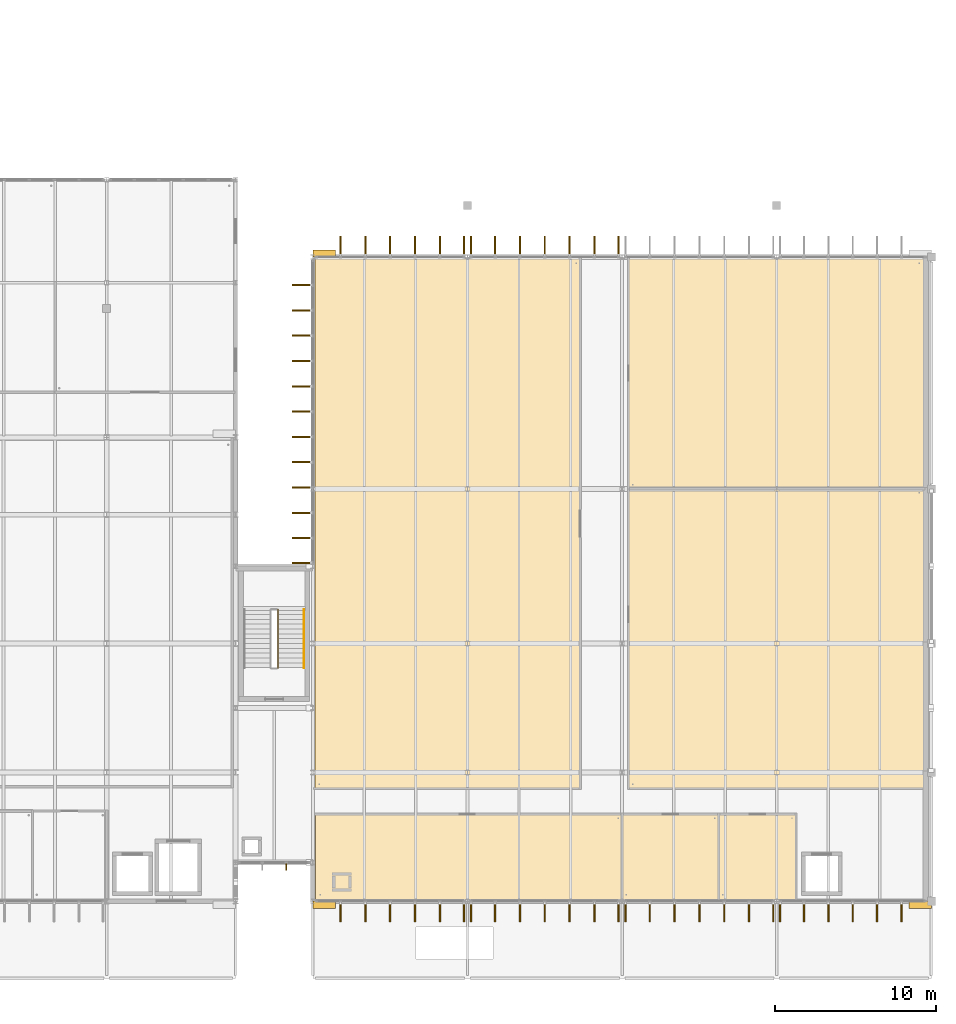
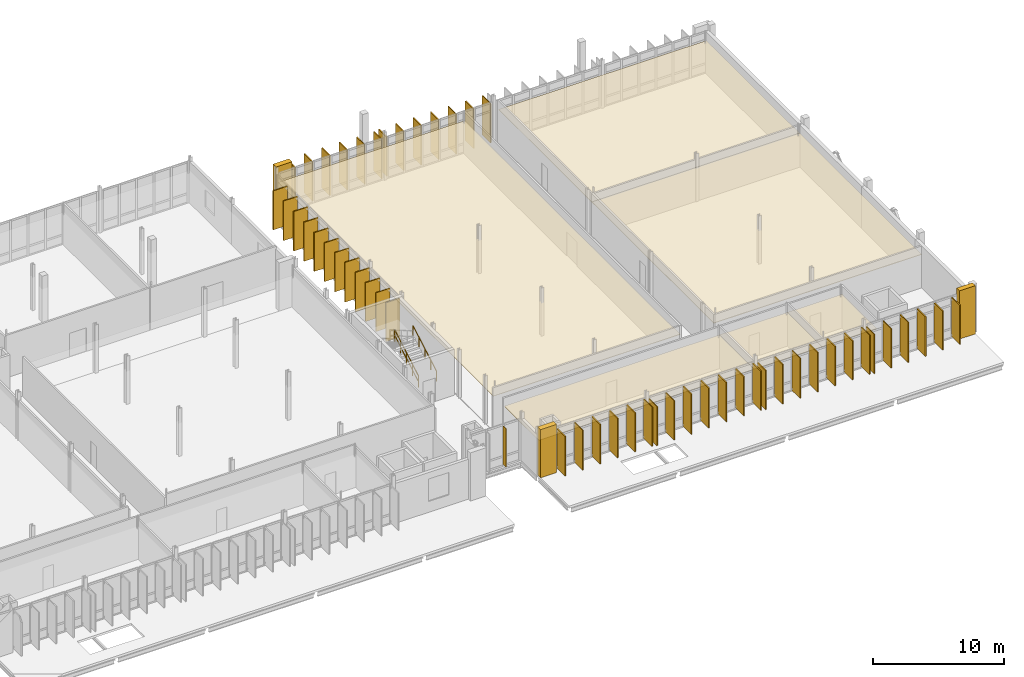
# One storey, part 106 of 107: 60 coverings, 2 railings, 1 shading device.
"""IFC4 building model written with IfcOpenShell, lengths in metres."""

from ifc_helpers import new_model, si_unit, direction, frame, origin, origin_2d, place, context, subcontext, project, spatial, polyline, rectangle, circle, outline, extrude, material, layer, layer_set, type_object, element, save


model = new_model("IFC4")

# Units and contexts
model_context = context("Model", 3, precision=1e-05, world=origin(), true_north=direction((0.0, 1.0)))
body_context = subcontext(model_context, "Body", "Model", "MODEL_VIEW")
ifc_project = project(units=[si_unit("LENGTHUNIT", "METRE"), si_unit("AREAUNIT", "SQUARE_METRE"), si_unit("VOLUMEUNIT", "CUBIC_METRE"), si_unit("PLANEANGLEUNIT", "RADIAN"), si_unit("MASSUNIT", "GRAM", prefix="KILO")], contexts=[model_context])

# Site, building, storey
site_placement = place(None, origin())
site = spatial("IfcSite", under=ifc_project, at=site_placement, CompositionType="ELEMENT")
building_placement = place(site_placement, origin())
building = spatial("IfcBuilding", under=site, at=building_placement, Name="Dunescarp Central Library", CompositionType="ELEMENT")
storey_placement = place(building_placement, frame((0.0, 0.0, 5.10009765625)))
storey = spatial("IfcBuildingStorey", under=building, at=storey_placement, Name="L01", CompositionType="ELEMENT", Elevation=5.10009765625)

# Coverings
ifc_material_1 = material(Name="Perforated birch acoustic timber baffle", Category="wood")
ifc_layer_1 = layer(ifc_material_1, 0.050048828125)
ifc_layer_set_1 = layer_set([ifc_layer_1], Name="Perforated birch acoustic timber baffle")
covering_type_1 = type_object("IfcCoveringType", Name="ARC-COV-BAFFLE", PredefinedType="CEILING", material=ifc_layer_set_1)
covering_1_placement = place(storey_placement, frame((0.0, 0.0, 3.0498046875)))
element("IfcCovering", 1, at=covering_1_placement, inside=storey, type_object=covering_type_1, Name="L01 ceiling Sensory & Multilingual Reading Room", PredefinedType="CEILING", context=body_context, shape_type="SweptSolid", body=[
    extrude(outline(polyline([(149.179931640625, 11.780029296875), (167.530029296875, 11.780029296875), (167.530029296875, 30.419921875), (149.179931640625, 30.419921875), (149.179931640625, 11.780029296875)])), origin(), (0.0, 0.0, 1.0), 0.050048828125),
])
ifc_material_2 = material(Name="Mineral-fibre acoustic ceiling tile")
ifc_layer_2 = layer(ifc_material_2, 0.0400390625)
ifc_layer_set_2 = layer_set([ifc_layer_2], Name="Mineral-fibre acoustic ceiling tile")
covering_type_2 = type_object("IfcCoveringType", Name="ARC-COV-CEIL40", PredefinedType="CEILING", material=ifc_layer_set_2)
covering_2_placement = place(storey_placement, frame((0.0, 0.0, 3.0498046875)))
element("IfcCovering", 2, at=covering_2_placement, inside=storey, type_object=covering_type_2, Name="L01 ceiling Family & Accessible WC", PredefinedType="CEILING", context=body_context, shape_type="SweptSolid", body=[
    extrude(outline(polyline([(154.780029296875, 4.919921875), (159.6201171875, 4.919921875), (159.6201171875, 10.219970703125), (154.780029296875, 10.219970703125), (154.780029296875, 4.919921875)])), origin(), (0.0, 0.0, 1.0), 0.0400390625),
])
covering_3_placement = place(storey_placement, frame((0.0, 0.0, 3.0498046875)))
element("IfcCovering", 3, at=covering_3_placement, inside=storey, type_object=covering_type_2, Name="L01 ceiling Junior Readers' Homework Club", PredefinedType="CEILING", context=body_context, shape_type="SweptSolid", body=[
    extrude(outline(polyline([(129.780029296875, 4.919921875), (148.820068359375, 4.919921875), (148.820068359375, 10.219970703125), (129.780029296875, 10.219970703125), (129.780029296875, 4.919921875)])), origin(), (0.0, 0.0, 1.0), 0.0400390625),
])
covering_4_placement = place(storey_placement, frame((0.0, 0.0, 3.0498046875)))
element("IfcCovering", 4, at=covering_4_placement, inside=storey, type_object=covering_type_2, Name="L01 ceiling Children's Librarian Office", PredefinedType="CEILING", context=body_context, shape_type="SweptSolid", body=[
    extrude(outline(polyline([(148.780029296875, 4.919921875), (154.820068359375, 4.919921875), (154.820068359375, 10.219970703125), (148.780029296875, 10.219970703125), (148.780029296875, 4.919921875)])), origin(), (0.0, 0.0, 1.0), 0.0400390625),
])
covering_5_placement = place(storey_placement, frame((0.0, 0.0, 3.0498046875)))
element("IfcCovering", 5, at=covering_5_placement, inside=storey, type_object=covering_type_2, Name="L01 ceiling Junior Readers' Discovery Library", PredefinedType="CEILING", context=body_context, shape_type="SweptSolid", body=[
    extrude(outline(polyline([(129.719970703125, 11.780029296875), (146.219970703125, 11.780029296875), (146.219970703125, 44.679931640625), (129.719970703125, 44.679931640625), (129.719970703125, 11.780029296875)])), origin(), (0.0, 0.0, 1.0), 0.0400390625),
])
covering_6_placement = place(storey_placement, frame((0.0, 0.0, 3.0498046875)))
element("IfcCovering", 6, at=covering_6_placement, inside=storey, type_object=covering_type_2, Name="L01 ceiling STEM Youth Workshop & Robotics Studio", PredefinedType="CEILING", context=body_context, shape_type="SweptSolid", body=[
    extrude(outline(polyline([(149.179931640625, 30.3798828125), (167.530029296875, 30.3798828125), (167.530029296875, 44.679931640625), (149.179931640625, 44.679931640625), (149.179931640625, 30.3798828125)])), origin(), (0.0, 0.0, 1.0), 0.0400390625),
])
ifc_material_3 = material(Name="Glass-fibre reinforced concrete GRC", Category="concrete")
ifc_layer_3 = layer(ifc_material_3, 0.090087890625)
ifc_layer_set_3 = layer_set([ifc_layer_3], Name="Glass-fibre reinforced concrete GRC")
covering_type_3 = type_object("IfcCoveringType", Name="ARC-COV-FIN1250", PredefinedType="CLADDING", material=ifc_layer_set_3)
covering_7_placement = place(storey_placement, frame((138.985107421875, 4.137939453125, 0.166259765625), z_axis=(0.0, 0.0, 1.0), x_axis=(0.0, -1.0, 0.0)))
element("IfcCovering", 7, at=covering_7_placement, inside=storey, type_object=covering_type_3, Name="L01 parametric vertical facade fin FIN-L01-0966", PredefinedType="CLADDING", context=body_context, shape_type="SweptSolid", body=[
    extrude(rectangle(XDim=1.25, YDim=0.090087890625, at=origin_2d()), origin(), (0.0, 0.0, 1.0), 3.6630859375),
])
covering_8_placement = place(storey_placement, frame((137.48291015625, 4.137939453125, 0.179931640625), z_axis=(0.0, 0.0, 1.0), x_axis=(0.0, -1.0, 0.0)))
element("IfcCovering", 8, at=covering_8_placement, inside=storey, type_object=covering_type_3, Name="L01 parametric vertical facade fin FIN-L01-0967", PredefinedType="CLADDING", context=body_context, shape_type="SweptSolid", body=[
    extrude(rectangle(XDim=1.25, YDim=0.090087890625, at=origin_2d()), origin(), (0.0, 0.0, 1.0), 3.64990234375),
])
covering_9_placement = place(storey_placement, frame((135.94189453125, 4.137939453125, 0.163818359375), z_axis=(0.0, 0.0, 1.0), x_axis=(0.0, -1.0, 0.0)))
element("IfcCovering", 9, at=covering_9_placement, inside=storey, type_object=covering_type_3, Name="L01 parametric vertical facade fin FIN-L01-0968", PredefinedType="CLADDING", context=body_context, shape_type="SweptSolid", body=[
    extrude(rectangle(XDim=1.25, YDim=0.090087890625, at=origin_2d()), origin(), (0.0, 0.0, 1.0), 3.666015625),
])
covering_10_placement = place(storey_placement, frame((134.39990234375, 4.137939453125, 0.122314453125), z_axis=(0.0, 0.0, 1.0), x_axis=(0.0, -1.0, 0.0)))
element("IfcCovering", 10, at=covering_10_placement, inside=storey, type_object=covering_type_3, Name="L01 parametric vertical facade fin FIN-L01-0969", PredefinedType="CLADDING", context=body_context, shape_type="SweptSolid", body=[
    extrude(rectangle(XDim=1.25, YDim=0.090087890625, at=origin_2d()), origin(), (0.0, 0.0, 1.0), 3.70703125),
])
covering_11_placement = place(storey_placement, frame((132.85791015625, 4.137939453125, 0.08056640625), z_axis=(0.0, 0.0, 1.0), x_axis=(0.0, -1.0, 0.0)))
element("IfcCovering", 11, at=covering_11_placement, inside=storey, type_object=covering_type_3, Name="L01 parametric vertical facade fin FIN-L01-0970", PredefinedType="CLADDING", context=body_context, shape_type="SweptSolid", body=[
    extrude(rectangle(XDim=1.25, YDim=0.090087890625, at=origin_2d()), origin(), (0.0, 0.0, 1.0), 3.739013671875),
])
covering_12_placement = place(storey_placement, frame((131.31689453125, 4.137939453125, 0.079345703125), z_axis=(0.0, 0.0, 1.0), x_axis=(0.0, -1.0, 0.0)))
element("IfcCovering", 12, at=covering_12_placement, inside=storey, type_object=covering_type_3, Name="L01 parametric vertical facade fin FIN-L01-0971", PredefinedType="CLADDING", context=body_context, shape_type="SweptSolid", body=[
    extrude(rectangle(XDim=1.25, YDim=0.090087890625, at=origin_2d()), origin(), (0.0, 0.0, 1.0), 3.68896484375),
])
covering_13_placement = place(storey_placement, frame((148.5849609375, 4.137939453125, 0.166259765625), z_axis=(0.0, 0.0, 1.0), x_axis=(0.0, -1.0, 0.0)))
element("IfcCovering", 13, at=covering_13_placement, inside=storey, type_object=covering_type_3, Name="L01 parametric vertical facade fin FIN-L01-0972", PredefinedType="CLADDING", context=body_context, shape_type="SweptSolid", body=[
    extrude(rectangle(XDim=1.25, YDim=0.090087890625, at=origin_2d()), origin(), (0.0, 0.0, 1.0), 3.6630859375),
])
covering_14_placement = place(storey_placement, frame((147.0830078125, 4.137939453125, 0.179931640625), z_axis=(0.0, 0.0, 1.0), x_axis=(0.0, -1.0, 0.0)))
element("IfcCovering", 14, at=covering_14_placement, inside=storey, type_object=covering_type_3, Name="L01 parametric vertical facade fin FIN-L01-0973", PredefinedType="CLADDING", context=body_context, shape_type="SweptSolid", body=[
    extrude(rectangle(XDim=1.25, YDim=0.090087890625, at=origin_2d()), origin(), (0.0, 0.0, 1.0), 3.64990234375),
])
covering_15_placement = place(storey_placement, frame((145.5419921875, 4.137939453125, 0.163818359375), z_axis=(0.0, 0.0, 1.0), x_axis=(0.0, -1.0, 0.0)))
element("IfcCovering", 15, at=covering_15_placement, inside=storey, type_object=covering_type_3, Name="L01 parametric vertical facade fin FIN-L01-0974", PredefinedType="CLADDING", context=body_context, shape_type="SweptSolid", body=[
    extrude(rectangle(XDim=1.25, YDim=0.090087890625, at=origin_2d()), origin(), (0.0, 0.0, 1.0), 3.666015625),
])
covering_16_placement = place(storey_placement, frame((144.0, 4.137939453125, 0.122314453125), z_axis=(0.0, 0.0, 1.0), x_axis=(0.0, -1.0, 0.0)))
element("IfcCovering", 16, at=covering_16_placement, inside=storey, type_object=covering_type_3, Name="L01 parametric vertical facade fin FIN-L01-0975", PredefinedType="CLADDING", context=body_context, shape_type="SweptSolid", body=[
    extrude(rectangle(XDim=1.25, YDim=0.090087890625, at=origin_2d()), origin(), (0.0, 0.0, 1.0), 3.70703125),
])
covering_17_placement = place(storey_placement, frame((142.4580078125, 4.137939453125, 0.08056640625), z_axis=(0.0, 0.0, 1.0), x_axis=(0.0, -1.0, 0.0)))
element("IfcCovering", 17, at=covering_17_placement, inside=storey, type_object=covering_type_3, Name="L01 parametric vertical facade fin FIN-L01-0976", PredefinedType="CLADDING", context=body_context, shape_type="SweptSolid", body=[
    extrude(rectangle(XDim=1.25, YDim=0.090087890625, at=origin_2d()), origin(), (0.0, 0.0, 1.0), 3.739013671875),
])
covering_18_placement = place(storey_placement, frame((140.9169921875, 4.137939453125, 0.079345703125), z_axis=(0.0, 0.0, 1.0), x_axis=(0.0, -1.0, 0.0)))
element("IfcCovering", 18, at=covering_18_placement, inside=storey, type_object=covering_type_3, Name="L01 parametric vertical facade fin FIN-L01-0977", PredefinedType="CLADDING", context=body_context, shape_type="SweptSolid", body=[
    extrude(rectangle(XDim=1.25, YDim=0.090087890625, at=origin_2d()), origin(), (0.0, 0.0, 1.0), 3.68896484375),
])
covering_19_placement = place(storey_placement, frame((139.4150390625, 4.137939453125, 0.080078125), z_axis=(0.0, 0.0, 1.0), x_axis=(0.0, -1.0, 0.0)))
element("IfcCovering", 19, at=covering_19_placement, inside=storey, type_object=covering_type_3, Name="L01 parametric vertical facade fin FIN-L01-0978", PredefinedType="CLADDING", context=body_context, shape_type="SweptSolid", body=[
    extrude(rectangle(XDim=1.25, YDim=0.090087890625, at=origin_2d()), origin(), (0.0, 0.0, 1.0), 3.656005859375),
])
covering_20_placement = place(storey_placement, frame((158.18505859375, 4.137939453125, 0.166259765625), z_axis=(0.0, 0.0, 1.0), x_axis=(0.0, -1.0, 0.0)))
element("IfcCovering", 20, at=covering_20_placement, inside=storey, type_object=covering_type_3, Name="L01 parametric vertical facade fin FIN-L01-0979", PredefinedType="CLADDING", context=body_context, shape_type="SweptSolid", body=[
    extrude(rectangle(XDim=1.25, YDim=0.090087890625, at=origin_2d()), origin(), (0.0, 0.0, 1.0), 3.6630859375),
])
covering_21_placement = place(storey_placement, frame((156.68310546875, 4.137939453125, 0.179931640625), z_axis=(0.0, 0.0, 1.0), x_axis=(0.0, -1.0, 0.0)))
element("IfcCovering", 21, at=covering_21_placement, inside=storey, type_object=covering_type_3, Name="L01 parametric vertical facade fin FIN-L01-0980", PredefinedType="CLADDING", context=body_context, shape_type="SweptSolid", body=[
    extrude(rectangle(XDim=1.25, YDim=0.090087890625, at=origin_2d()), origin(), (0.0, 0.0, 1.0), 3.64990234375),
])
covering_22_placement = place(storey_placement, frame((155.14208984375, 4.137939453125, 0.163818359375), z_axis=(0.0, 0.0, 1.0), x_axis=(0.0, -1.0, 0.0)))
element("IfcCovering", 22, at=covering_22_placement, inside=storey, type_object=covering_type_3, Name="L01 parametric vertical facade fin FIN-L01-0981", PredefinedType="CLADDING", context=body_context, shape_type="SweptSolid", body=[
    extrude(rectangle(XDim=1.25, YDim=0.090087890625, at=origin_2d()), origin(), (0.0, 0.0, 1.0), 3.666015625),
])
covering_23_placement = place(storey_placement, frame((153.60009765625, 4.137939453125, 0.122314453125), z_axis=(0.0, 0.0, 1.0), x_axis=(0.0, -1.0, 0.0)))
element("IfcCovering", 23, at=covering_23_placement, inside=storey, type_object=covering_type_3, Name="L01 parametric vertical facade fin FIN-L01-0982", PredefinedType="CLADDING", context=body_context, shape_type="SweptSolid", body=[
    extrude(rectangle(XDim=1.25, YDim=0.090087890625, at=origin_2d()), origin(), (0.0, 0.0, 1.0), 3.70703125),
])
covering_24_placement = place(storey_placement, frame((152.05810546875, 4.137939453125, 0.08056640625), z_axis=(0.0, 0.0, 1.0), x_axis=(0.0, -1.0, 0.0)))
element("IfcCovering", 24, at=covering_24_placement, inside=storey, type_object=covering_type_3, Name="L01 parametric vertical facade fin FIN-L01-0983", PredefinedType="CLADDING", context=body_context, shape_type="SweptSolid", body=[
    extrude(rectangle(XDim=1.25, YDim=0.090087890625, at=origin_2d()), origin(), (0.0, 0.0, 1.0), 3.739013671875),
])
covering_25_placement = place(storey_placement, frame((150.51708984375, 4.137939453125, 0.079345703125), z_axis=(0.0, 0.0, 1.0), x_axis=(0.0, -1.0, 0.0)))
element("IfcCovering", 25, at=covering_25_placement, inside=storey, type_object=covering_type_3, Name="L01 parametric vertical facade fin FIN-L01-0984", PredefinedType="CLADDING", context=body_context, shape_type="SweptSolid", body=[
    extrude(rectangle(XDim=1.25, YDim=0.090087890625, at=origin_2d()), origin(), (0.0, 0.0, 1.0), 3.68896484375),
])
covering_26_placement = place(storey_placement, frame((149.014892578125, 4.137939453125, 0.080078125), z_axis=(0.0, 0.0, 1.0), x_axis=(0.0, -1.0, 0.0)))
element("IfcCovering", 26, at=covering_26_placement, inside=storey, type_object=covering_type_3, Name="L01 parametric vertical facade fin FIN-L01-0985", PredefinedType="CLADDING", context=body_context, shape_type="SweptSolid", body=[
    extrude(rectangle(XDim=1.25, YDim=0.090087890625, at=origin_2d()), origin(), (0.0, 0.0, 1.0), 3.656005859375),
])
covering_27_placement = place(storey_placement, frame((166.14990234375, 4.137939453125, 0.179931640625), z_axis=(0.0, 0.0, 1.0), x_axis=(0.0, -1.0, 0.0)))
element("IfcCovering", 27, at=covering_27_placement, inside=storey, type_object=covering_type_3, Name="L01 parametric vertical facade fin FIN-L01-0986", PredefinedType="CLADDING", context=body_context, shape_type="SweptSolid", body=[
    extrude(rectangle(XDim=1.25, YDim=0.090087890625, at=origin_2d()), origin(), (0.0, 0.0, 1.0), 3.64990234375),
])
covering_28_placement = place(storey_placement, frame((164.635009765625, 4.137939453125, 0.163818359375), z_axis=(0.0, 0.0, 1.0), x_axis=(0.0, -1.0, 0.0)))
element("IfcCovering", 28, at=covering_28_placement, inside=storey, type_object=covering_type_3, Name="L01 parametric vertical facade fin FIN-L01-0987", PredefinedType="CLADDING", context=body_context, shape_type="SweptSolid", body=[
    extrude(rectangle(XDim=1.25, YDim=0.090087890625, at=origin_2d()), origin(), (0.0, 0.0, 1.0), 3.666015625),
])
covering_29_placement = place(storey_placement, frame((163.1201171875, 4.137939453125, 0.122314453125), z_axis=(0.0, 0.0, 1.0), x_axis=(0.0, -1.0, 0.0)))
element("IfcCovering", 29, at=covering_29_placement, inside=storey, type_object=covering_type_3, Name="L01 parametric vertical facade fin FIN-L01-0988", PredefinedType="CLADDING", context=body_context, shape_type="SweptSolid", body=[
    extrude(rectangle(XDim=1.25, YDim=0.090087890625, at=origin_2d()), origin(), (0.0, 0.0, 1.0), 3.70703125),
])
covering_30_placement = place(storey_placement, frame((161.60498046875, 4.137939453125, 0.08056640625), z_axis=(0.0, 0.0, 1.0), x_axis=(0.0, -1.0, 0.0)))
element("IfcCovering", 30, at=covering_30_placement, inside=storey, type_object=covering_type_3, Name="L01 parametric vertical facade fin FIN-L01-0989", PredefinedType="CLADDING", context=body_context, shape_type="SweptSolid", body=[
    extrude(rectangle(XDim=1.25, YDim=0.090087890625, at=origin_2d()), origin(), (0.0, 0.0, 1.0), 3.739013671875),
])
covering_31_placement = place(storey_placement, frame((160.090087890625, 4.137939453125, 0.079345703125), z_axis=(0.0, 0.0, 1.0), x_axis=(0.0, -1.0, 0.0)))
element("IfcCovering", 31, at=covering_31_placement, inside=storey, type_object=covering_type_3, Name="L01 parametric vertical facade fin FIN-L01-0990", PredefinedType="CLADDING", context=body_context, shape_type="SweptSolid", body=[
    extrude(rectangle(XDim=1.25, YDim=0.090087890625, at=origin_2d()), origin(), (0.0, 0.0, 1.0), 3.68896484375),
])
covering_32_placement = place(storey_placement, frame((158.614990234375, 4.137939453125, 0.080078125), z_axis=(0.0, 0.0, 1.0), x_axis=(0.0, -1.0, 0.0)))
element("IfcCovering", 32, at=covering_32_placement, inside=storey, type_object=covering_type_3, Name="L01 parametric vertical facade fin FIN-L01-0991", PredefinedType="CLADDING", context=body_context, shape_type="SweptSolid", body=[
    extrude(rectangle(XDim=1.25, YDim=0.090087890625, at=origin_2d()), origin(), (0.0, 0.0, 1.0), 3.656005859375),
])
covering_33_placement = place(storey_placement, frame((131.31689453125, 45.4619140625, 0.179931640625), z_axis=(0.0, 0.0, 1.0), x_axis=(0.0, 1.0, 0.0)))
element("IfcCovering", 33, at=covering_33_placement, inside=storey, type_object=covering_type_3, Name="L01 parametric vertical facade fin FIN-L01-0992", PredefinedType="CLADDING", context=body_context, shape_type="SweptSolid", body=[
    extrude(rectangle(XDim=1.25, YDim=0.090087890625, at=origin_2d()), origin(), (0.0, 0.0, 1.0), 3.64990234375),
])
covering_34_placement = place(storey_placement, frame((132.85791015625, 45.4619140625, 0.163818359375), z_axis=(0.0, 0.0, 1.0), x_axis=(0.0, 1.0, 0.0)))
element("IfcCovering", 34, at=covering_34_placement, inside=storey, type_object=covering_type_3, Name="L01 parametric vertical facade fin FIN-L01-0993", PredefinedType="CLADDING", context=body_context, shape_type="SweptSolid", body=[
    extrude(rectangle(XDim=1.25, YDim=0.090087890625, at=origin_2d()), origin(), (0.0, 0.0, 1.0), 3.666015625),
])
covering_35_placement = place(storey_placement, frame((134.39990234375, 45.4619140625, 0.122314453125), z_axis=(0.0, 0.0, 1.0), x_axis=(0.0, 1.0, 0.0)))
element("IfcCovering", 35, at=covering_35_placement, inside=storey, type_object=covering_type_3, Name="L01 parametric vertical facade fin FIN-L01-0994", PredefinedType="CLADDING", context=body_context, shape_type="SweptSolid", body=[
    extrude(rectangle(XDim=1.25, YDim=0.090087890625, at=origin_2d()), origin(), (0.0, 0.0, 1.0), 3.70703125),
])
covering_36_placement = place(storey_placement, frame((135.94189453125, 45.4619140625, 0.08056640625), z_axis=(0.0, 0.0, 1.0), x_axis=(0.0, 1.0, 0.0)))
element("IfcCovering", 36, at=covering_36_placement, inside=storey, type_object=covering_type_3, Name="L01 parametric vertical facade fin FIN-L01-0995", PredefinedType="CLADDING", context=body_context, shape_type="SweptSolid", body=[
    extrude(rectangle(XDim=1.25, YDim=0.090087890625, at=origin_2d()), origin(), (0.0, 0.0, 1.0), 3.739013671875),
])
covering_37_placement = place(storey_placement, frame((137.48291015625, 45.4619140625, 0.079345703125), z_axis=(0.0, 0.0, 1.0), x_axis=(0.0, 1.0, 0.0)))
element("IfcCovering", 37, at=covering_37_placement, inside=storey, type_object=covering_type_3, Name="L01 parametric vertical facade fin FIN-L01-0996", PredefinedType="CLADDING", context=body_context, shape_type="SweptSolid", body=[
    extrude(rectangle(XDim=1.25, YDim=0.090087890625, at=origin_2d()), origin(), (0.0, 0.0, 1.0), 3.68896484375),
])
covering_38_placement = place(storey_placement, frame((138.985107421875, 45.4619140625, 0.080078125), z_axis=(0.0, 0.0, 1.0), x_axis=(0.0, 1.0, 0.0)))
element("IfcCovering", 38, at=covering_38_placement, inside=storey, type_object=covering_type_3, Name="L01 parametric vertical facade fin FIN-L01-0997", PredefinedType="CLADDING", context=body_context, shape_type="SweptSolid", body=[
    extrude(rectangle(XDim=1.25, YDim=0.090087890625, at=origin_2d()), origin(), (0.0, 0.0, 1.0), 3.656005859375),
])
covering_39_placement = place(storey_placement, frame((139.4150390625, 45.4619140625, 0.166259765625), z_axis=(0.0, 0.0, 1.0), x_axis=(0.0, 1.0, 0.0)))
element("IfcCovering", 39, at=covering_39_placement, inside=storey, type_object=covering_type_3, Name="L01 parametric vertical facade fin FIN-L01-0998", PredefinedType="CLADDING", context=body_context, shape_type="SweptSolid", body=[
    extrude(rectangle(XDim=1.25, YDim=0.090087890625, at=origin_2d()), origin(), (0.0, 0.0, 1.0), 3.6630859375),
])
covering_40_placement = place(storey_placement, frame((140.9169921875, 45.4619140625, 0.179931640625), z_axis=(0.0, 0.0, 1.0), x_axis=(0.0, 1.0, 0.0)))
element("IfcCovering", 40, at=covering_40_placement, inside=storey, type_object=covering_type_3, Name="L01 parametric vertical facade fin FIN-L01-0999", PredefinedType="CLADDING", context=body_context, shape_type="SweptSolid", body=[
    extrude(rectangle(XDim=1.25, YDim=0.090087890625, at=origin_2d()), origin(), (0.0, 0.0, 1.0), 3.64990234375),
])
covering_41_placement = place(storey_placement, frame((142.4580078125, 45.4619140625, 0.163818359375), z_axis=(0.0, 0.0, 1.0), x_axis=(0.0, 1.0, 0.0)))
element("IfcCovering", 41, at=covering_41_placement, inside=storey, type_object=covering_type_3, Name="L01 parametric vertical facade fin FIN-L01-1000", PredefinedType="CLADDING", context=body_context, shape_type="SweptSolid", body=[
    extrude(rectangle(XDim=1.25, YDim=0.090087890625, at=origin_2d()), origin(), (0.0, 0.0, 1.0), 3.666015625),
])
covering_42_placement = place(storey_placement, frame((144.0, 45.4619140625, 0.122314453125), z_axis=(0.0, 0.0, 1.0), x_axis=(0.0, 1.0, 0.0)))
element("IfcCovering", 42, at=covering_42_placement, inside=storey, type_object=covering_type_3, Name="L01 parametric vertical facade fin FIN-L01-1001", PredefinedType="CLADDING", context=body_context, shape_type="SweptSolid", body=[
    extrude(rectangle(XDim=1.25, YDim=0.090087890625, at=origin_2d()), origin(), (0.0, 0.0, 1.0), 3.70703125),
])
covering_43_placement = place(storey_placement, frame((145.5419921875, 45.4619140625, 0.08056640625), z_axis=(0.0, 0.0, 1.0), x_axis=(0.0, 1.0, 0.0)))
element("IfcCovering", 43, at=covering_43_placement, inside=storey, type_object=covering_type_3, Name="L01 parametric vertical facade fin FIN-L01-1002", PredefinedType="CLADDING", context=body_context, shape_type="SweptSolid", body=[
    extrude(rectangle(XDim=1.25, YDim=0.090087890625, at=origin_2d()), origin(), (0.0, 0.0, 1.0), 3.739013671875),
])
covering_44_placement = place(storey_placement, frame((147.0830078125, 45.4619140625, 0.079345703125), z_axis=(0.0, 0.0, 1.0), x_axis=(0.0, 1.0, 0.0)))
element("IfcCovering", 44, at=covering_44_placement, inside=storey, type_object=covering_type_3, Name="L01 parametric vertical facade fin FIN-L01-1003", PredefinedType="CLADDING", context=body_context, shape_type="SweptSolid", body=[
    extrude(rectangle(XDim=1.25, YDim=0.090087890625, at=origin_2d()), origin(), (0.0, 0.0, 1.0), 3.68896484375),
])
covering_45_placement = place(storey_placement, frame((148.5849609375, 45.4619140625, 0.080078125), z_axis=(0.0, 0.0, 1.0), x_axis=(0.0, 1.0, 0.0)))
element("IfcCovering", 45, at=covering_45_placement, inside=storey, type_object=covering_type_3, Name="L01 parametric vertical facade fin FIN-L01-1004", PredefinedType="CLADDING", context=body_context, shape_type="SweptSolid", body=[
    extrude(rectangle(XDim=1.25, YDim=0.090087890625, at=origin_2d()), origin(), (0.0, 0.0, 1.0), 3.656005859375),
])
covering_46_placement = place(storey_placement, frame((128.93798828125, 25.81494140625, 0.1669921875), z_axis=(0.0, 0.0, 1.0), x_axis=(-1.0, 0.0, 0.0)))
element("IfcCovering", 46, at=covering_46_placement, inside=storey, type_object=covering_type_3, Name="L01 parametric vertical facade fin FIN-L01-1018", PredefinedType="CLADDING", context=body_context, shape_type="SweptSolid", body=[
    extrude(rectangle(XDim=1.25, YDim=0.090087890625, at=origin_2d()), origin(), (0.0, 0.0, 1.0), 3.6279296875),
])
covering_47_placement = place(storey_placement, frame((128.93798828125, 27.345947265625, 0.18017578125), z_axis=(0.0, 0.0, 1.0), x_axis=(-1.0, 0.0, 0.0)))
element("IfcCovering", 47, at=covering_47_placement, inside=storey, type_object=covering_type_3, Name="L01 parametric vertical facade fin FIN-L01-1019", PredefinedType="CLADDING", context=body_context, shape_type="SweptSolid", body=[
    extrude(rectangle(XDim=1.25, YDim=0.090087890625, at=origin_2d()), origin(), (0.0, 0.0, 1.0), 3.614990234375),
])
covering_48_placement = place(storey_placement, frame((128.93798828125, 28.9169921875, 0.16357421875), z_axis=(0.0, 0.0, 1.0), x_axis=(-1.0, 0.0, 0.0)))
element("IfcCovering", 48, at=covering_48_placement, inside=storey, type_object=covering_type_3, Name="L01 parametric vertical facade fin FIN-L01-1020", PredefinedType="CLADDING", context=body_context, shape_type="SweptSolid", body=[
    extrude(rectangle(XDim=1.25, YDim=0.090087890625, at=origin_2d()), origin(), (0.0, 0.0, 1.0), 3.631103515625),
])
covering_49_placement = place(storey_placement, frame((128.93798828125, 30.487060546875, 0.123046875), z_axis=(0.0, 0.0, 1.0), x_axis=(-1.0, 0.0, 0.0)))
element("IfcCovering", 49, at=covering_49_placement, inside=storey, type_object=covering_type_3, Name="L01 parametric vertical facade fin FIN-L01-1021", PredefinedType="CLADDING", context=body_context, shape_type="SweptSolid", body=[
    extrude(rectangle(XDim=1.25, YDim=0.090087890625, at=origin_2d()), origin(), (0.0, 0.0, 1.0), 3.672119140625),
])
covering_50_placement = place(storey_placement, frame((128.93798828125, 32.05810546875, 0.079833984375), z_axis=(0.0, 0.0, 1.0), x_axis=(-1.0, 0.0, 0.0)))
element("IfcCovering", 50, at=covering_50_placement, inside=storey, type_object=covering_type_3, Name="L01 parametric vertical facade fin FIN-L01-1022", PredefinedType="CLADDING", context=body_context, shape_type="SweptSolid", body=[
    extrude(rectangle(XDim=1.25, YDim=0.090087890625, at=origin_2d()), origin(), (0.0, 0.0, 1.0), 3.7041015625),
])
covering_51_placement = place(storey_placement, frame((128.93798828125, 33.62890625, 0.080078125), z_axis=(0.0, 0.0, 1.0), x_axis=(-1.0, 0.0, 0.0)))
element("IfcCovering", 51, at=covering_51_placement, inside=storey, type_object=covering_type_3, Name="L01 parametric vertical facade fin FIN-L01-1023", PredefinedType="CLADDING", context=body_context, shape_type="SweptSolid", body=[
    extrude(rectangle(XDim=1.25, YDim=0.090087890625, at=origin_2d()), origin(), (0.0, 0.0, 1.0), 3.654052734375),
])
covering_52_placement = place(storey_placement, frame((128.93798828125, 35.199951171875, 0.079345703125), z_axis=(0.0, 0.0, 1.0), x_axis=(-1.0, 0.0, 0.0)))
element("IfcCovering", 52, at=covering_52_placement, inside=storey, type_object=covering_type_3, Name="L01 parametric vertical facade fin FIN-L01-1024", PredefinedType="CLADDING", context=body_context, shape_type="SweptSolid", body=[
    extrude(rectangle(XDim=1.25, YDim=0.090087890625, at=origin_2d()), origin(), (0.0, 0.0, 1.0), 3.62109375),
])
covering_53_placement = place(storey_placement, frame((128.93798828125, 36.77099609375, 0.08056640625), z_axis=(0.0, 0.0, 1.0), x_axis=(-1.0, 0.0, 0.0)))
element("IfcCovering", 53, at=covering_53_placement, inside=storey, type_object=covering_type_3, Name="L01 parametric vertical facade fin FIN-L01-1025", PredefinedType="CLADDING", context=body_context, shape_type="SweptSolid", body=[
    extrude(rectangle(XDim=1.25, YDim=0.090087890625, at=origin_2d()), origin(), (0.0, 0.0, 1.0), 3.616943359375),
])
covering_54_placement = place(storey_placement, frame((128.93798828125, 38.342041015625, 0.079345703125), z_axis=(0.0, 0.0, 1.0), x_axis=(-1.0, 0.0, 0.0)))
element("IfcCovering", 54, at=covering_54_placement, inside=storey, type_object=covering_type_3, Name="L01 parametric vertical facade fin FIN-L01-1026", PredefinedType="CLADDING", context=body_context, shape_type="SweptSolid", body=[
    extrude(rectangle(XDim=1.25, YDim=0.090087890625, at=origin_2d()), origin(), (0.0, 0.0, 1.0), 3.64111328125),
])
covering_55_placement = place(storey_placement, frame((128.93798828125, 39.9130859375, 0.080322265625), z_axis=(0.0, 0.0, 1.0), x_axis=(-1.0, 0.0, 0.0)))
element("IfcCovering", 55, at=covering_55_placement, inside=storey, type_object=covering_type_3, Name="L01 parametric vertical facade fin FIN-L01-1027", PredefinedType="CLADDING", context=body_context, shape_type="SweptSolid", body=[
    extrude(rectangle(XDim=1.25, YDim=0.090087890625, at=origin_2d()), origin(), (0.0, 0.0, 1.0), 3.68701171875),
])
covering_56_placement = place(storey_placement, frame((128.93798828125, 41.48291015625, 0.10546875), z_axis=(0.0, 0.0, 1.0), x_axis=(-1.0, 0.0, 0.0)))
element("IfcCovering", 56, at=covering_56_placement, inside=storey, type_object=covering_type_3, Name="L01 parametric vertical facade fin FIN-L01-1028", PredefinedType="CLADDING", context=body_context, shape_type="SweptSolid", body=[
    extrude(rectangle(XDim=1.25, YDim=0.090087890625, at=origin_2d()), origin(), (0.0, 0.0, 1.0), 3.68896484375),
])
covering_57_placement = place(storey_placement, frame((128.93798828125, 43.053955078125, 0.15283203125), z_axis=(0.0, 0.0, 1.0), x_axis=(-1.0, 0.0, 0.0)))
element("IfcCovering", 57, at=covering_57_placement, inside=storey, type_object=covering_type_3, Name="L01 parametric vertical facade fin FIN-L01-1029", PredefinedType="CLADDING", context=body_context, shape_type="SweptSolid", body=[
    extrude(rectangle(XDim=1.25, YDim=0.090087890625, at=origin_2d()), origin(), (0.0, 0.0, 1.0), 3.64208984375),
])
ifc_layer_4 = layer(ifc_material_3, 0.449951171875)
ifc_layer_set_4 = layer_set([ifc_layer_4], Name="Glass-fibre reinforced concrete GRC")
covering_type_4 = type_object("IfcCoveringType", Name="ARC-COV-PORTAL", PredefinedType="CLADDING", material=ifc_layer_set_4)
for number, where, z_axis, x_axis, name in (
    (58, (130.300048828125, 4.580078125, 0.0), (0.0, 0.0, 1.0), (1.0, 0.0, 0.0), "V5 sculpted GRC portal pier PRT-BAND-V5-053"),
    (59, (130.300048828125, 45.02001953125, 0.0), (0.0, 0.0, 1.0), (1.0, 0.0, 0.0), "V5 sculpted GRC portal pier PRT-BAND-V5-054"),
    (60, (167.300048828125, 4.580078125, 0.0), (0.0, 0.0, 1.0), (1.0, 0.0, 0.0), "V5 sculpted GRC portal pier PRT-BAND-V5-055"),
):
    element("IfcCovering", number, at=place(storey_placement, frame(where, z_axis=z_axis, x_axis=x_axis)), inside=storey, type_object=covering_type_4, Name=name, PredefinedType="CLADDING", context=body_context, shape_type="SweptSolid", body=[
        extrude(rectangle(XDim=1.39990234375, YDim=0.449951171875, at=origin_2d()), origin(), (0.0, 0.0, 1.0), 4.5),
    ])

# Railings
ifc_material_4 = material(Name="Stainless steel Grade 316L", Category="steel")
railing_type_1 = type_object("IfcRailingType", Name="ARC-RL-GUARD", PredefinedType="GUARDRAIL", material=ifc_material_4)
railing_1_placement = place(storey_placement, frame((127.429931640625, 19.300048828125, 0.173095703125)))
element("IfcRailing", 61, at=railing_1_placement, inside=storey, type_object=railing_type_1, Name="L01 ST-5 stair guard 1", PredefinedType="GUARDRAIL", context=body_context, shape_type="SweptSolid", body=[
    extrude(circle(Radius=0.02392578125, at=origin_2d()), frame((0.0, 0.0, 1.076171875), z_axis=(0.0, 0.866178740119, 0.499734319579), x_axis=(-1.0, 0.0, 0.0)), (0.0, 0.0, 1.0), 4.156005859375),
    extrude(circle(Radius=0.02392578125, at=origin_2d()), frame((0.0, 0.0, 0.550048828125), z_axis=(0.0, 0.866178740119, 0.499734319579), x_axis=(-1.0, 0.0, 0.0)), (0.0, 0.0, 1.0), 4.156005859375),
    extrude(circle(Radius=0.02099609375, at=origin_2d()), origin(), (0.0, 0.0, 1.0), 1.052001953125),
    extrude(circle(Radius=0.02099609375, at=origin_2d()), frame((0.0, 0.89990234375, 0.519287109375)), (0.0, 0.0, 1.0), 1.052001953125),
    extrude(circle(Radius=0.02099609375, at=origin_2d()), frame((0.0, 1.7998046875, 1.03857421875)), (0.0, 0.0, 1.0), 1.052001953125),
    extrude(circle(Radius=0.02099609375, at=origin_2d()), frame((0.0, 2.699951171875, 1.5576171875)), (0.0, 0.0, 1.0), 1.052001953125),
    extrude(circle(Radius=0.02099609375, at=origin_2d()), frame((0.0, 3.599853515625, 2.076904296875)), (0.0, 0.0, 1.0), 1.052001953125),
])
railing_type_2 = type_object("IfcRailingType", Name="ARC-RL-HAND", PredefinedType="HANDRAIL", material=ifc_material_4)
railing_2_placement = place(storey_placement, frame((129.050048828125, 19.300048828125, 0.173095703125)))
element("IfcRailing", 62, at=railing_2_placement, inside=storey, type_object=railing_type_2, Name="L01 ST-5 stair handrail 1", PredefinedType="HANDRAIL", context=body_context, shape_type="SweptSolid", body=[
    extrude(circle(Radius=0.02392578125, at=origin_2d()), frame((0.0, 0.0, 0.8857421875), z_axis=(0.0, 0.866178740119, 0.499734319579), x_axis=(-1.0, 0.0, 0.0)), (0.0, 0.0, 1.0), 4.156005859375),
    extrude(circle(Radius=0.02099609375, at=origin_2d()), origin(), (0.0, 0.0, 1.0), 0.86181640625),
    extrude(circle(Radius=0.02099609375, at=origin_2d()), frame((0.0, 0.89990234375, 0.519287109375)), (0.0, 0.0, 1.0), 0.86181640625),
    extrude(circle(Radius=0.02099609375, at=origin_2d()), frame((0.0, 1.7998046875, 1.03857421875)), (0.0, 0.0, 1.0), 0.86181640625),
    extrude(circle(Radius=0.02099609375, at=origin_2d()), frame((0.0, 2.699951171875, 1.5576171875)), (0.0, 0.0, 1.0), 0.86181640625),
    extrude(circle(Radius=0.02099609375, at=origin_2d()), frame((0.0, 3.599853515625, 2.076904296875)), (0.0, 0.0, 1.0), 0.86181640625),
])

# Shading device
ifc_material_5 = material(Name="Marine-grade anodised aluminium 6063-T6", Category="aluminium")
ifc_layer_5 = layer(ifc_material_5, 0.06005859375)
ifc_layer_set_5 = layer_set([ifc_layer_5], Name="Marine-grade anodised aluminium 6063-T6")
shading_device_type = type_object("IfcShadingDeviceType", Name="ARC-SHD-FIN", PredefinedType="USERDEFINED", material=ifc_layer_set_5)
shading_device_placement = place(storey_placement, frame((127.94189453125, 6.93896484375, 0.1494140625), z_axis=(0.0, 0.0, 1.0), x_axis=(0.0, -1.0, 0.0)))
element("IfcShadingDevice", 63, at=shading_device_placement, inside=storey, type_object=shading_device_type, Name="L01 link sunshade fin SHDF-L01-1112", ObjectType="FIN", PredefinedType="USERDEFINED", context=body_context, shape_type="SweptSolid", body=[
    extrude(rectangle(XDim=0.449951171875, YDim=0.06005859375, at=origin_2d()), origin(), (0.0, 0.0, 1.0), 3.574951171875),
])

save(model, "model.ifc")
